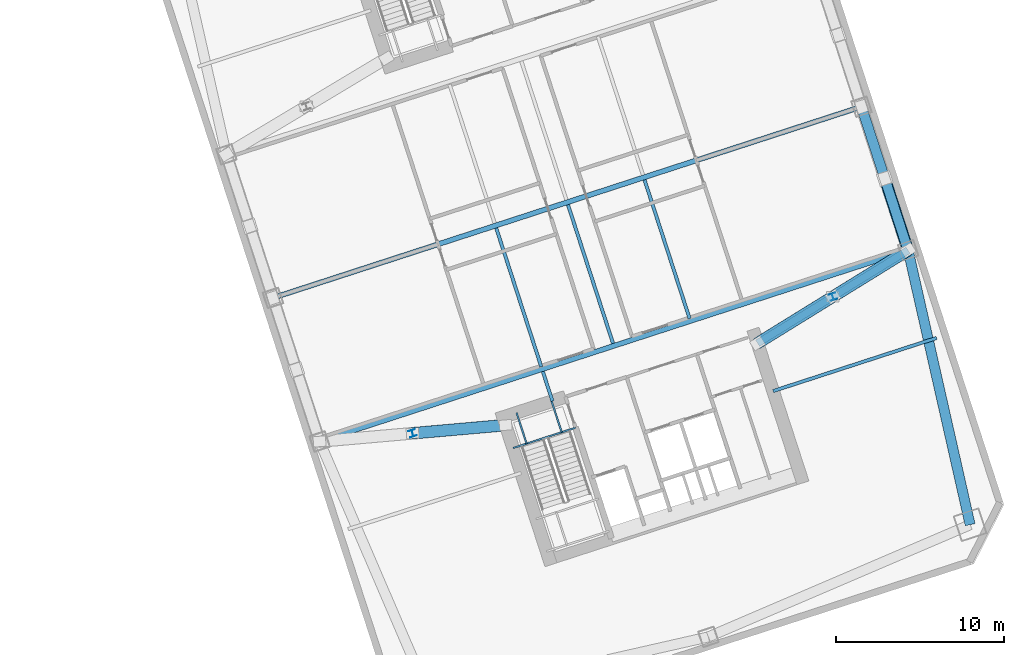
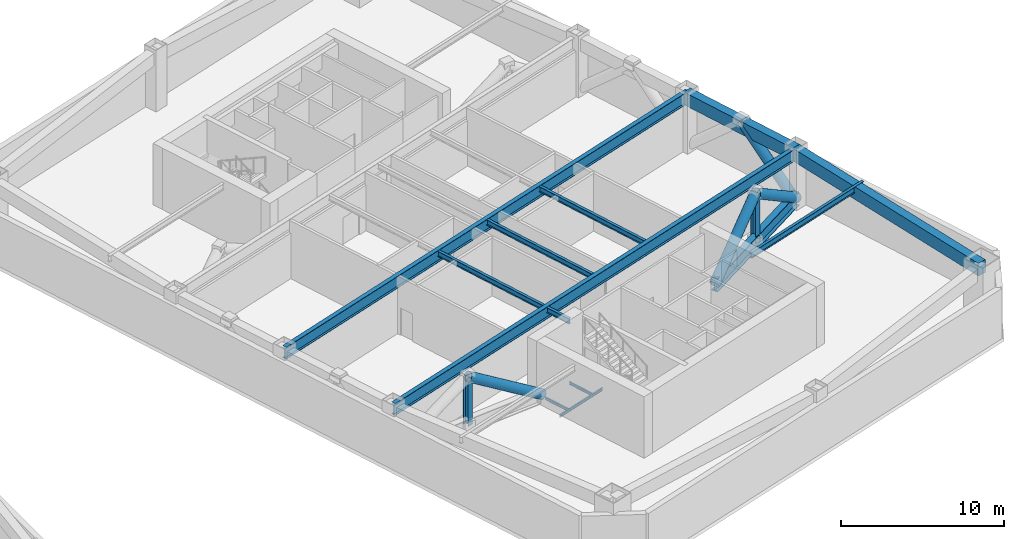
# One storey, part 6 of 16: 13 beams, 6 members.
"""IFC4 building model written with IfcOpenShell, lengths in metres."""

from ifc_helpers import new_model, si_unit, direction, frame, origin, origin_2d, place, context, subcontext, project, spatial, rectangle, hollow_circle, i_section, extrude, material, material_profile, profile_set, type_object, element, save


model = new_model("IFC4")

# Units and contexts
model_context = context("Model", 3, precision=1e-05, world=origin(), true_north=direction((0.0, 1.0)))
body_context = subcontext(model_context, "Body", "Model", "MODEL_VIEW")
ifc_project = project(units=[si_unit("LENGTHUNIT", "METRE"), si_unit("AREAUNIT", "SQUARE_METRE"), si_unit("VOLUMEUNIT", "CUBIC_METRE"), si_unit("PLANEANGLEUNIT", "RADIAN"), si_unit("MASSUNIT", "GRAM", prefix="KILO")], contexts=[model_context])

# Site, building, storey
site_placement = place(None, origin())
site = spatial("IfcSite", under=ifc_project, at=site_placement, CompositionType="ELEMENT")
building_placement = place(site_placement, origin())
building = spatial("IfcBuilding", under=site, at=building_placement, Name="Qiaolan Cultural Towers", CompositionType="ELEMENT")
storey_placement = place(building_placement, frame((0.0, 0.0, 46.0)))
storey = spatial("IfcBuildingStorey", under=building, at=storey_placement, Name="L10", CompositionType="ELEMENT", Elevation=46.0)

# Beams
ifc_material_1 = material(Name="Steel Q390GJB", Category="steel")
ifc_material_profile_1 = material_profile(ifc_material_1, i_section(OverallWidth=0.449951171875, OverallDepth=1.0, WebThickness=0.02392578125, FlangeThickness=0.0400390625, at=origin_2d()), Name="BH1000x450x24x40")
ifc_profile_set_1 = profile_set([ifc_material_profile_1], Name="Steel Q390GJB")
beam_type_1 = type_object("IfcBeamType", Name="BM-BH1000x450x24x40", PredefinedType="BEAM", material=ifc_profile_set_1)
beam_1_placement = place(storey_placement, frame((101.352294921875, 25.5966796875, 0.5), z_axis=(0.850744134666, 0.525580076993, 0.0), x_axis=(-0.525580076993, 0.850744134666, 0.0)))
element("IfcBeam", 1, at=beam_1_placement, inside=storey, type_object=beam_type_1, Name="L10 T2 Outrigger Bottom Chord Girder ES", PredefinedType="BEAM", context=body_context, shape_type="SweptSolid", body=[
    extrude(i_section(OverallWidth=0.449951171875, OverallDepth=1.0, WebThickness=0.02392578125, FlangeThickness=0.0400390625, at=origin_2d()), origin(), (0.0, 0.0, 1.0), 10.550537109375),
])
ifc_material_2 = material(Name="Steel Q355B", Category="steel")
ifc_material_profile_2 = material_profile(ifc_material_2, i_section(OverallWidth=0.300048828125, OverallDepth=0.89990234375, WebThickness=0.01611328125, FlangeThickness=0.028076171875, at=origin_2d()), Name="HN900x300x16x28")
ifc_profile_set_2 = profile_set([ifc_material_profile_2], Name="Steel Q355B")
beam_type_2 = type_object("IfcBeamType", Name="BM-HN900x300x16x28", PredefinedType="BEAM", material=ifc_profile_set_2)
beam_2_placement = place(storey_placement, frame((75.234130859375, 19.739013671875, 3.889892578125), z_axis=(0.951055702987, 0.309019497469, 0.0), x_axis=(-0.309019497469, 0.951055702987, 0.0)))
element("IfcBeam", 2, at=beam_2_placement, inside=storey, type_object=beam_type_2, Name="L10 T2 Primary Transverse Girder V1", PredefinedType="BEAM", context=body_context, shape_type="SweptSolid", body=[
    extrude(i_section(OverallWidth=0.300048828125, OverallDepth=0.89990234375, WebThickness=0.01611328125, FlangeThickness=0.028076171875, at=origin_2d()), origin(), (0.0, 0.0, 1.0), 36.900146484375),
])
beam_3_placement = place(storey_placement, frame((72.453125, 28.298583984375, 3.889892578125), z_axis=(0.951055071173, 0.309021441968, 0.0), x_axis=(-0.309021441968, 0.951055071173, 0.0)))
element("IfcBeam", 3, at=beam_3_placement, inside=storey, type_object=beam_type_2, Name="L10 T2 Primary Transverse Girder V2", PredefinedType="BEAM", context=body_context, shape_type="SweptSolid", body=[
    extrude(i_section(OverallWidth=0.300048828125, OverallDepth=0.89990234375, WebThickness=0.01611328125, FlangeThickness=0.028076171875, at=origin_2d()), origin(), (0.0, 0.0, 1.0), 36.89990234375),
])
ifc_material_3 = material(Name="Steel Q355B", Category="steel")
ifc_material_profile_3 = material_profile(ifc_material_3, i_section(OverallWidth=0.199951171875, OverallDepth=0.39990234375, WebThickness=0.008056640625, FlangeThickness=0.012939453125, at=origin_2d()), Name="HN400x200x8x13")
ifc_profile_set_3 = profile_set([ifc_material_profile_3], Name="Steel Q355B")
beam_type_3 = type_object("IfcBeamType", Name="BM-JST-HN400x200x8x13", PredefinedType="JOIST", material=ifc_profile_set_3)
beam_4_placement = place(storey_placement, frame((89.119384765625, 22.147705078125, 4.139892578125), z_axis=(-0.308933885266, 0.951083516067, 0.0), x_axis=(-0.951083516067, -0.308933885266, 0.0)))
element("IfcBeam", 4, at=beam_4_placement, inside=storey, type_object=beam_type_3, Name="L10 T2 Secondary Floor Joist U1-1", PredefinedType="JOIST", context=body_context, shape_type="SweptSolid", body=[
    extrude(i_section(OverallWidth=0.199951171875, OverallDepth=0.39990234375, WebThickness=0.008056640625, FlangeThickness=0.012939453125, at=origin_2d()), origin(), (0.0, 0.0, 1.0), 1.85009765625),
])
for number, where, z_axis, x_axis, name in (
    (5, (88.455078125, 24.192626953125, 4.139892578125), (-0.309020714809, 0.951055307445, 0.0), (-0.951055307445, -0.309020714809, 0.0), "L10 T2 Secondary Floor Joist U1-2"),
    (6, (92.73486328125, 25.583251953125, 4.139892578125), (-0.309020714809, 0.951055307445, 0.0), (-0.951055307445, -0.309020714809, 0.0), "L10 T2 Secondary Floor Joist U2-2"),
    (7, (97.2998046875, 27.06640625, 4.139892578125), (-0.309020714809, 0.951055307445, 0.0), (-0.951055307445, -0.309020714809, 0.0), "L10 T2 Secondary Floor Joist U3-2"),
):
    element("IfcBeam", number, at=place(storey_placement, frame(where, z_axis=z_axis, x_axis=x_axis)), inside=storey, type_object=beam_type_3, Name=name, PredefinedType="JOIST", context=body_context, shape_type="SweptSolid", body=[
        extrude(i_section(OverallWidth=0.199951171875, OverallDepth=0.39990234375, WebThickness=0.008056640625, FlangeThickness=0.012939453125, at=origin_2d()), origin(), (0.0, 0.0, 1.0), 8.699951171875),
    ])
ifc_material_4 = material(Name="Steel Q355B", Category="steel")
ifc_material_profile_4 = material_profile(ifc_material_4, i_section(OverallWidth=0.199951171875, OverallDepth=0.449951171875, WebThickness=0.009033203125, FlangeThickness=0.013916015625, at=origin_2d()), Name="HN450x200x9x14")
ifc_profile_set_4 = profile_set([ifc_material_profile_4], Name="Steel Q355B")
beam_type_4 = type_object("IfcBeamType", Name="BM-LNT-HN450x200x9x14", PredefinedType="LINTEL", material=ifc_profile_set_4)
beam_5_placement = place(storey_placement, frame((102.279296875, 22.74365234375, 4.114990234375), z_axis=(0.951056820587, 0.309016057859, 0.0), x_axis=(-0.309016057859, 0.951056820587, 0.0)))
element("IfcBeam", 8, at=beam_5_placement, inside=storey, type_object=beam_type_4, Name="L10 T2 Core Flank Tie Lintel ES", PredefinedType="LINTEL", context=body_context, shape_type="SweptSolid", body=[
    extrude(i_section(OverallWidth=0.199951171875, OverallDepth=0.449951171875, WebThickness=0.009033203125, FlangeThickness=0.013916015625, at=origin_2d()), origin(), (0.0, 0.0, 1.0), 10.250244140625),
])
ifc_material_5 = material(Name="Concrete C50", Category="concrete")
ifc_material_profile_5 = material_profile(ifc_material_5, rectangle(XDim=0.60009765625, YDim=0.949951171875, at=origin_2d()), Name="RC600x950")
ifc_profile_set_5 = profile_set([ifc_material_profile_5], Name="Concrete C50")
beam_type_5 = type_object("IfcBeamType", Name="BM-SPD-RC600x950", PredefinedType="SPANDREL", material=ifc_profile_set_5)
beam_6_placement = place(storey_placement, frame((114.027099609375, 14.77392578125, 3.864990234375), z_axis=(-0.220430557386, 0.975402670373, 0.0), x_axis=(-0.975402670373, -0.220430557386, 0.0)))
element("IfcBeam", 9, at=beam_6_placement, inside=storey, type_object=beam_type_5, Name="L10 T2 Perimeter Spandrel Beam 3", PredefinedType="SPANDREL", context=body_context, shape_type="SweptSolid", body=[
    extrude(rectangle(XDim=0.60009765625, YDim=0.949951171875, at=origin_2d()), origin(), (0.0, 0.0, 1.0), 16.78076171875),
])
beam_7_placement = place(storey_placement, frame((110.328125, 31.141845703125, 3.864990234375), z_axis=(-0.309024734286, 0.951054001411, 0.0), x_axis=(-0.951054001411, -0.309024734286, 0.0)))
element("IfcBeam", 10, at=beam_7_placement, inside=storey, type_object=beam_type_5, Name="L10 T2 Perimeter Spandrel Beam 4", PredefinedType="SPANDREL", context=body_context, shape_type="SweptSolid", body=[
    extrude(rectangle(XDim=0.60009765625, YDim=0.949951171875, at=origin_2d()), origin(), (0.0, 0.0, 1.0), 9.0),
])
ifc_material_6 = material(Name="Steel Q355B", Category="steel")
ifc_material_profile_6 = material_profile(ifc_material_6, i_section(OverallWidth=0.10009765625, OverallDepth=0.199951171875, WebThickness=0.005615234375, FlangeThickness=0.008056640625, at=origin_2d()), Name="HN200x100x5.5x8")
ifc_profile_set_6 = profile_set([ifc_material_profile_6], Name="Steel Q355B")
beam_type_6 = type_object("IfcBeamType", Name="BM-STTRIM-200", PredefinedType="BEAM", material=ifc_profile_set_6)
beam_8_placement = place(storey_placement, frame((86.770751953125, 19.3447265625, -0.4599609375), z_axis=(0.951047798727, 0.309043823005, 0.0), x_axis=(-0.309043823005, 0.951047798727, 0.0)))
element("IfcBeam", 11, at=beam_8_placement, inside=storey, type_object=beam_type_6, Name="L10 ST-E1 Floor Landing Header Beam", PredefinedType="BEAM", context=body_context, shape_type="SweptSolid", body=[
    extrude(i_section(OverallWidth=0.10009765625, OverallDepth=0.199951171875, WebThickness=0.005615234375, FlangeThickness=0.008056640625, at=origin_2d()), origin(), (0.0, 0.0, 1.0), 3.919921875),
])
for number, where, z_axis, x_axis, name in (
    (12, (86.9794921875, 21.452392578125, -0.4599609375), (0.309083226701, -0.951034993558, 0.0), (0.951034993558, 0.309083226701, 0.0), "L10 ST-E1 Floor Landing Stringer 1"),
    (13, (89.07177734375, 22.13232421875, -0.4599609375), (0.309083226701, -0.951034993558, 0.0), (0.951034993558, 0.309083226701, 0.0), "L10 ST-E1 Floor Landing Stringer 2"),
):
    element("IfcBeam", number, at=place(storey_placement, frame(where, z_axis=z_axis, x_axis=x_axis)), inside=storey, type_object=beam_type_6, Name=name, PredefinedType="BEAM", context=body_context, shape_type="SweptSolid", body=[
        extrude(i_section(OverallWidth=0.10009765625, OverallDepth=0.199951171875, WebThickness=0.005615234375, FlangeThickness=0.008056640625, at=origin_2d()), origin(), (0.0, 0.0, 1.0), 1.93994140625),
    ])

# Members
ifc_material_7 = material(Name="Steel Q355B", Category="steel")
ifc_material_profile_7 = material_profile(ifc_material_7, hollow_circle(Radius=0.35009765625, WallThickness=0.034912109375, at=origin_2d()), Name="CHS700x35")
ifc_profile_set_7 = profile_set([ifc_material_profile_7], Name="Steel Q355B")
member_type_1 = type_object("IfcMemberType", Name="MBR-BRC-CHS700x35", PredefinedType="BRACE", material=ifc_profile_set_7)
member_1_placement = place(storey_placement, frame((86.32568359375, 20.71435546875, 0.5), z_axis=(-0.837859882927, -0.073660849051, 0.540892684272), x_axis=(0.087577676172, -0.996157693659, 0.0)))
element("IfcMember", 14, at=member_1_placement, inside=storey, type_object=member_type_1, Name="L10 T2 Outrigger Truss Diagonal WS-1", PredefinedType="BRACE", context=body_context, shape_type="SweptSolid", body=[
    extrude(hollow_circle(Radius=0.35009765625, WallThickness=0.034912109375, at=origin_2d()), origin(), (0.0, 0.0, 1.0), 6.618896484375),
])
member_2_placement = place(storey_placement, frame((101.352294921875, 25.5966796875, 0.5), z_axis=(0.70394775451, 0.434898256431, 0.561534563027), x_axis=(-0.525586478041, 0.850740180138, 0.0)))
element("IfcMember", 15, at=member_2_placement, inside=storey, type_object=member_type_1, Name="L10 T2 Outrigger Truss Diagonal ES-1", PredefinedType="BRACE", context=body_context, shape_type="SweptSolid", body=[
    extrude(hollow_circle(Radius=0.35009765625, WallThickness=0.034912109375, at=origin_2d()), origin(), (0.0, 0.0, 1.0), 6.37548828125),
])
member_3_placement = place(storey_placement, frame((105.84033203125, 28.369384765625, 4.080078125), z_axis=(0.703940159776, 0.434878927996, -0.561559052495), x_axis=(-0.525573675508, 0.850748089397, 0.0)))
element("IfcMember", 16, at=member_3_placement, inside=storey, type_object=member_type_1, Name="L10 T2 Outrigger Truss Diagonal ES-2", PredefinedType="BRACE", context=body_context, shape_type="SweptSolid", body=[
    extrude(hollow_circle(Radius=0.35009765625, WallThickness=0.034912109375, at=origin_2d()), origin(), (0.0, 0.0, 1.0), 6.375244140625),
])
member_4_placement = place(storey_placement, frame((110.328125, 31.141845703125, 0.199951171875), z_axis=(-0.231479598497, 0.712401222199, 0.662496561568), x_axis=(-0.951054001411, -0.309024734286, 0.0)))
element("IfcMember", 17, at=member_4_placement, inside=storey, type_object=member_type_1, Name="L10 T2 Perimeter Belt Truss E1-A", PredefinedType="BRACE", context=body_context, shape_type="SweptSolid", body=[
    extrude(hollow_circle(Radius=0.35009765625, WallThickness=0.034912109375, at=origin_2d()), origin(), (0.0, 0.0, 1.0), 6.007568359375),
])
ifc_material_8 = material(Name="Steel Q355B", Category="steel")
ifc_material_profile_8 = material_profile(ifc_material_8, i_section(OverallWidth=0.39990234375, OverallDepth=0.39990234375, WebThickness=0.012939453125, FlangeThickness=0.02099609375, at=origin_2d()), Name="HW400x400x13x21")
ifc_profile_set_8 = profile_set([ifc_material_profile_8], Name="Steel Q355B")
member_type_2 = type_object("IfcMemberType", Name="MBR-POST-HW400x400x13x21", PredefinedType="STUD", material=ifc_profile_set_8)
for number, where, z_axis, x_axis, name in (
    (18, (80.780029296875, 20.226806640625, 0.5), (0.0, 0.0, 1.0), (0.951056516295, 0.309016994375, 0.0), "L10 T2 Outrigger King Web WS"),
    (19, (105.84033203125, 28.369384765625, 0.5), (0.0, 0.0, 1.0), (0.951056516295, 0.309016994375, 0.0), "L10 T2 Outrigger King Web ES"),
):
    element("IfcMember", number, at=place(storey_placement, frame(where, z_axis=z_axis, x_axis=x_axis)), inside=storey, type_object=member_type_2, Name=name, PredefinedType="STUD", context=body_context, shape_type="SweptSolid", body=[
        extrude(i_section(OverallWidth=0.39990234375, OverallDepth=0.39990234375, WebThickness=0.012939453125, FlangeThickness=0.02099609375, at=origin_2d()), origin(), (0.0, 0.0, 1.0), 3.580078125),
    ])

save(model, "model.ifc")
